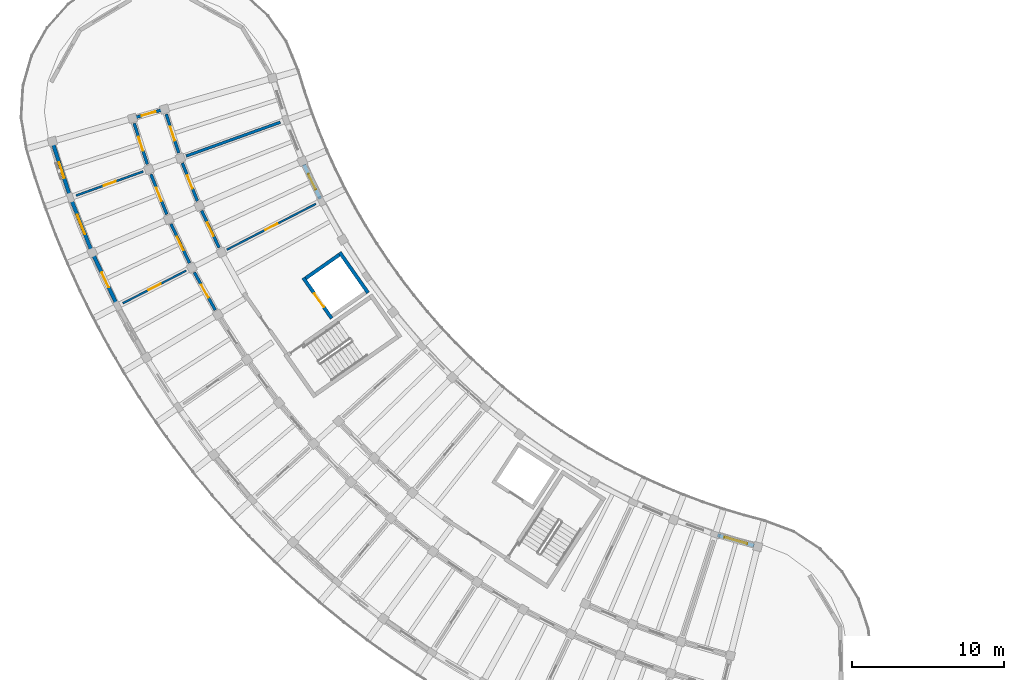
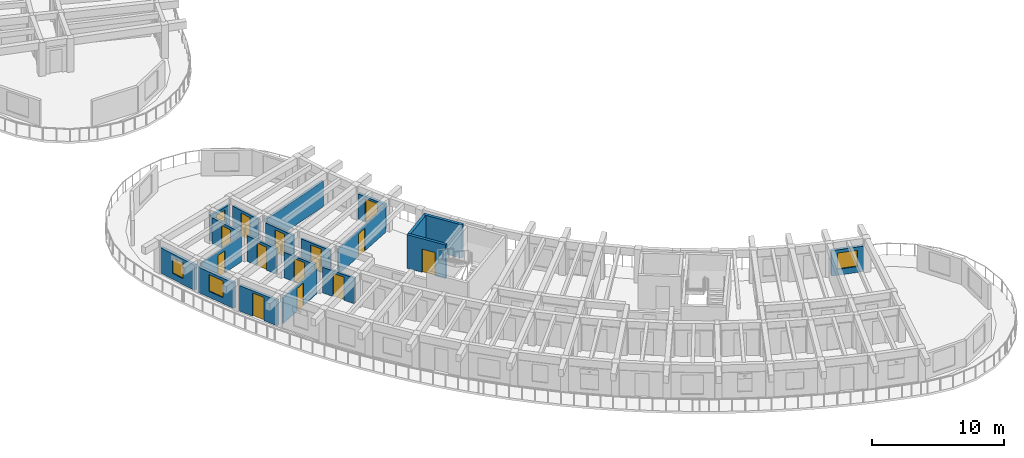
# One storey, part 30 of 69: 20 walls, 14 doors, 3 windows, 17 openings.
"""IFC4 building model written with IfcOpenShell, lengths in metres."""

from ifc_helpers import new_model, si_unit, direction, frame, frame_2d, origin, place, context, subcontext, project, spatial, rectangle, extrude, material, layer, layer_set, type_object, element, fill, save


model = new_model("IFC4")

# Units and contexts
model_context = context("Model", 3, precision=1e-05, world=origin(), true_north=direction((0.0, 1.0)))
body_context = subcontext(model_context, "Body", "Model", "MODEL_VIEW")
ifc_project = project(units=[si_unit("LENGTHUNIT", "METRE"), si_unit("AREAUNIT", "SQUARE_METRE"), si_unit("VOLUMEUNIT", "CUBIC_METRE"), si_unit("PLANEANGLEUNIT", "RADIAN"), si_unit("MASSUNIT", "GRAM", prefix="KILO")], contexts=[model_context])

# Site, building, storey
site_placement = place(None, origin())
site = spatial("IfcSite", under=ifc_project, at=site_placement, CompositionType="ELEMENT")
building_placement = place(site_placement, origin())
building = spatial("IfcBuilding", under=site, at=building_placement, Name="Tanwirah Colonnade Gardens", CompositionType="ELEMENT")
storey_placement = place(building_placement, frame((0.0, 0.0, 15.56005859375)))
storey = spatial("IfcBuildingStorey", under=building, at=storey_placement, Name="L04", CompositionType="ELEMENT", Elevation=15.56005859375)

# Wall, opening, window
ifc_material_1 = material(Name="Limestone architectural precast concrete C40/50", Category="masonry")
ifc_layer_1 = layer(ifc_material_1, 0.2451171875)
ifc_layer_set_1 = layer_set([ifc_layer_1], Name="Limestone architectural precast concrete C40/50")
wall_type_1 = type_object("IfcWallType", Name="EW-PC245", PredefinedType="SOLIDWALL", material=ifc_layer_set_1)
wall_1_placement = place(storey_placement, frame((7.83349609375, 47.847900390625, 0.0), z_axis=(0.0, 0.0, 1.0), x_axis=(0.306949591136, -0.951725773793, 0.0)))
wall_1 = element("IfcWall", 1, at=wall_1_placement, inside=storey, type_object=wall_type_1, Name="Block C L04 OUT Precast Facade Wall 0", PredefinedType="SOLIDWALL", context=body_context, shape_type="SweptSolid", body=[
    extrude(rectangle(XDim=3.48681640625, YDim=0.2451171875, at=frame_2d((1.743408203125, 0.0))), origin(), (0.0, 0.0, 1.0), 2.35498046875),
])
opening_1_placement = place(wall_1_placement, frame((1.203369140625, 0.0, 0.550048828125)))
opening_1 = element("IfcOpeningElement", 2, at=opening_1_placement, cuts=wall_1, Name="Opening WIN-T15", PredefinedType="OPENING", context=body_context, shape_type="SweptSolid", body=[
    extrude(rectangle(XDim=1.080078125, YDim=1.449951171875, at=frame_2d((0.5400390625, 0.72509765625))), frame((0.0, 0.132568359375, 0.0), z_axis=(0.0, -1.0, 0.0), x_axis=(1.0, 0.0, 0.0)), (0.0, 0.0, 1.0), 0.26513671875),
])
ifc_material_2 = material(Name="Thermally broken bronze aluminium and solar low-E double glazing", Category="aluminium")
window_type_1 = type_object("IfcWindowType", Name="WIN-T15", PartitioningType="SINGLE_PANEL", PredefinedType="WINDOW", material=ifc_material_2)
window_1_placement = place(opening_1_placement, origin())
window_1 = element("IfcWindow", 3, at=window_1_placement, inside=storey, type_object=window_type_1, Name="Facade window C-L04-OUT-00", OverallHeight=1.449951171875, OverallWidth=1.080078125, PartitioningType="SINGLE_PANEL", PredefinedType="WINDOW", context=body_context, shape_type="SweptSolid", body=[
    extrude(rectangle(XDim=1.080078125, YDim=1.449951171875, at=frame_2d((0.5400390625, 0.72509765625))), frame((0.0, 0.030029296875, 0.0), z_axis=(0.0, -1.0, 0.0), x_axis=(1.0, 0.0, 0.0)), (0.0, 0.0, 1.0), 0.06005859375),
])
fill(opening_1, window_1)

wall_2_placement = place(storey_placement, frame((9.011962890625, 44.228271484375, 0.0), z_axis=(0.0, 0.0, 1.0), x_axis=(0.368503667074, -0.929626294461, 0.0)))
wall_2 = element("IfcWall", 4, at=wall_2_placement, inside=storey, type_object=wall_type_1, Name="Block C L04 OUT Precast Facade Wall 1", PredefinedType="SOLIDWALL", context=body_context, shape_type="SweptSolid", body=[
    extrude(rectangle(XDim=3.48681640625, YDim=0.2451171875, at=frame_2d((1.743408203125, 0.0))), origin(), (0.0, 0.0, 1.0), 2.35498046875),
])
opening_2_placement = place(wall_2_placement, frame((1.053466796875, 0.0, 0.550048828125)))
opening_2 = element("IfcOpeningElement", 5, at=opening_2_placement, cuts=wall_2, Name="Opening WIN-T18", PredefinedType="OPENING", context=body_context, shape_type="SweptSolid", body=[
    extrude(rectangle(XDim=1.3798828125, YDim=1.56005859375, at=frame_2d((0.68994140625, 0.780029296875))), frame((0.0, 0.132568359375, 0.0), z_axis=(0.0, -1.0, 0.0), x_axis=(1.0, 0.0, 0.0)), (0.0, 0.0, 1.0), 0.26513671875),
])
window_type_2 = type_object("IfcWindowType", Name="WIN-T18", PartitioningType="DOUBLE_PANEL_VERTICAL", PredefinedType="WINDOW", material=ifc_material_2)
window_2_placement = place(opening_2_placement, origin())
window_2 = element("IfcWindow", 6, at=window_2_placement, inside=storey, type_object=window_type_2, Name="Facade window C-L04-OUT-01", OverallHeight=1.56005859375, OverallWidth=1.3798828125, PartitioningType="SINGLE_PANEL", PredefinedType="WINDOW", context=body_context, shape_type="SweptSolid", body=[
    extrude(rectangle(XDim=1.3798828125, YDim=1.56005859375, at=frame_2d((0.68994140625, 0.780029296875))), frame((0.0, 0.030029296875, 0.0), z_axis=(0.0, -1.0, 0.0), x_axis=(1.0, 0.0, 0.0)), (0.0, 0.0, 1.0), 0.06005859375),
])
fill(opening_2, window_2)

# Wall, opening, door
wall_3_placement = place(storey_placement, frame((10.49609375, 40.528564453125, 0.0), z_axis=(0.0, 0.0, 1.0), x_axis=(0.428576879122, -0.903505317462, 0.0)))
wall_3 = element("IfcWall", 7, at=wall_3_placement, inside=storey, type_object=wall_type_1, Name="Block C L04 OUT Precast Facade Wall 2", PredefinedType="SOLIDWALL", context=body_context, shape_type="SweptSolid", body=[
    extrude(rectangle(XDim=3.48681640625, YDim=0.2451171875, at=frame_2d((1.743408203125, 0.0))), origin(), (0.0, 0.0, 1.0), 2.35498046875),
])
opening_3_placement = place(wall_3_placement, frame((1.203369140625, 0.0, 0.0)))
opening_3 = element("IfcOpeningElement", 8, at=opening_3_placement, cuts=wall_3, Name="Opening L04-ED143", PredefinedType="OPENING", context=body_context, shape_type="SweptSolid", body=[
    extrude(rectangle(XDim=1.080078125, YDim=2.14990234375, at=frame_2d((0.5400390625, 1.074951171875))), frame((0.0, 0.132568359375, 0.0), z_axis=(0.0, -1.0, 0.0), x_axis=(1.0, 0.0, 0.0)), (0.0, 0.0, 1.0), 0.26513671875),
])
ifc_material_3 = material(Name="Bronze aluminium glazed balcony door", Category="aluminium")
door_type_1 = type_object("IfcDoorType", Name="ED-BAL108", OperationType="NOTDEFINED", PredefinedType="DOOR", material=ifc_material_3)
door_1_placement = place(opening_3_placement, origin())
door_1 = element("IfcDoor", 9, at=door_1_placement, inside=storey, type_object=door_type_1, Name="Balcony glazed door L04-ED143", OperationType="SINGLE_SWING_LEFT", OverallHeight=2.14990234375, OverallWidth=1.080078125, PredefinedType="DOOR", context=body_context, shape_type="SweptSolid", body=[
    extrude(rectangle(XDim=1.080078125, YDim=2.14990234375, at=frame_2d((0.5400390625, 1.074951171875))), frame((0.0, 0.02490234375, 0.0), z_axis=(0.0, -1.0, 0.0), x_axis=(1.0, 0.0, 0.0)), (0.0, 0.0, 1.0), 0.050048828125),
])
fill(opening_3, door_1)

wall_4_placement = place(storey_placement, frame((24.34375, 46.5498046875, 0.0), z_axis=(0.0, 0.0, 1.0), x_axis=(0.428514676045, -0.903534820809, 0.0)))
wall_4 = element("IfcWall", 10, at=wall_4_placement, inside=storey, type_object=wall_type_1, Name="Block C L04 IN Precast Facade Wall 2", PredefinedType="SOLIDWALL", context=body_context, shape_type="SweptSolid", body=[
    extrude(rectangle(XDim=2.498779296875, YDim=0.2451171875, at=frame_2d((1.24951171875, 0.0))), origin(), (0.0, 0.0, 1.0), 2.35498046875),
])
opening_4_placement = place(wall_4_placement, frame((0.679443359375, 0.0, 0.0)))
opening_4 = element("IfcOpeningElement", 11, at=opening_4_placement, cuts=wall_4, Name="Opening L04-ED144", PredefinedType="OPENING", context=body_context, shape_type="SweptSolid", body=[
    extrude(rectangle(XDim=1.139892578125, YDim=2.159912109375, at=frame_2d((0.56982421875, 1.080078125))), frame((0.0, 0.132568359375, 0.0), z_axis=(0.0, -1.0, 0.0), x_axis=(1.0, 0.0, 0.0)), (0.0, 0.0, 1.0), 0.26513671875),
])
door_type_2 = type_object("IfcDoorType", Name="ED-BAL114", OperationType="NOTDEFINED", PredefinedType="DOOR", material=ifc_material_3)
door_2_placement = place(opening_4_placement, origin())
door_2 = element("IfcDoor", 12, at=door_2_placement, inside=storey, type_object=door_type_2, Name="Balcony glazed door L04-ED144", OperationType="SINGLE_SWING_LEFT", OverallHeight=2.159912109375, OverallWidth=1.139892578125, PredefinedType="DOOR", context=body_context, shape_type="SweptSolid", body=[
    extrude(rectangle(XDim=1.139892578125, YDim=2.159912109375, at=frame_2d((0.56982421875, 1.080078125))), frame((0.0, 0.02490234375, 0.0), z_axis=(0.0, -1.0, 0.0), x_axis=(1.0, 0.0, 0.0)), (0.0, 0.0, 1.0), 0.050048828125),
])
fill(opening_4, door_2)

# Wall, opening, window
wall_5_placement = place(storey_placement, frame((51.602783203125, 22.122314453125, 0.0), z_axis=(0.0, 0.0, 1.0), x_axis=(0.961847744742, -0.273585299195, 0.0)))
wall_5 = element("IfcWall", 13, at=wall_5_placement, inside=storey, type_object=wall_type_1, Name="Block C L04 IN Precast Facade Wall 15", PredefinedType="SOLIDWALL", context=body_context, shape_type="SweptSolid", body=[
    extrude(rectangle(XDim=2.49853515625, YDim=0.2451171875, at=frame_2d((1.249267578125, 0.0))), origin(), (0.0, 0.0, 1.0), 2.35498046875),
])
opening_5_placement = place(wall_5_placement, frame((0.469482421875, 0.0, 0.550048828125)))
opening_5 = element("IfcOpeningElement", 14, at=opening_5_placement, cuts=wall_5, Name="Opening WIN-U11", PredefinedType="OPENING", context=body_context, shape_type="SweptSolid", body=[
    extrude(rectangle(XDim=1.56005859375, YDim=1.510009765625, at=frame_2d((0.780029296875, 0.7548828125))), frame((0.0, 0.132568359375, 0.0), z_axis=(0.0, -1.0, 0.0), x_axis=(1.0, 0.0, 0.0)), (0.0, 0.0, 1.0), 0.26513671875),
])
window_type_3 = type_object("IfcWindowType", Name="WIN-U11", PartitioningType="DOUBLE_PANEL_VERTICAL", PredefinedType="WINDOW", material=ifc_material_2)
window_3_placement = place(opening_5_placement, origin())
window_3 = element("IfcWindow", 15, at=window_3_placement, inside=storey, type_object=window_type_3, Name="Facade window C-L04-IN-15", OverallHeight=1.510009765625, OverallWidth=1.56005859375, PartitioningType="SINGLE_PANEL", PredefinedType="WINDOW", context=body_context, shape_type="SweptSolid", body=[
    extrude(rectangle(XDim=1.56005859375, YDim=1.510009765625, at=frame_2d((0.780029296875, 0.7548828125))), frame((0.0, 0.030029296875, 0.0), z_axis=(0.0, -1.0, 0.0), x_axis=(1.0, 0.0, 0.0)), (0.0, 0.0, 1.0), 0.06005859375),
])
fill(opening_5, window_3)

# Wall, opening, door
ifc_material_4 = material(Name="Precast concrete C40/50", Category="concrete")
ifc_layer_2 = layer(ifc_material_4, 0.195068359375)
ifc_layer_set_2 = layer_set([ifc_layer_2], Name="Precast concrete C40/50")
wall_type_2 = type_object("IfcWallType", Name="IW-CORR195", PredefinedType="PARTITIONING", material=ifc_layer_set_2)
wall_6_placement = place(storey_placement, frame((13.151123046875, 49.268798828125, 0.0), z_axis=(0.0, 0.0, 1.0), x_axis=(0.30694495224, -0.951727269912, 0.0)))
wall_6 = element("IfcWall", 16, at=wall_6_placement, inside=storey, type_object=wall_type_2, Name="Block C L04 OUT Corridor Wall 0", PredefinedType="PARTITIONING", context=body_context, shape_type="SweptSolid", body=[
    extrude(rectangle(XDim=2.837158203125, YDim=0.195068359375, at=frame_2d((1.41845703125, 0.0))), origin(), (0.0, 0.0, 1.0), 2.369873046875),
])
opening_6_placement = place(wall_6_placement, frame((0.943603515625, 0.0, 0.0)))
opening_6 = element("IfcOpeningElement", 17, at=opening_6_placement, cuts=wall_6, Name="Opening L04-AD1429", PredefinedType="OPENING", context=body_context, shape_type="SweptSolid", body=[
    extrude(rectangle(XDim=0.949951171875, YDim=2.1298828125, at=frame_2d((0.47509765625, 1.06494140625))), frame((0.0, 0.107421875, 0.0), z_axis=(0.0, -1.0, 0.0), x_axis=(1.0, 0.0, 0.0)), (0.0, 0.0, 1.0), 0.215087890625),
])
ifc_material_5 = material(Name="Solid oak fire-resisting apartment entrance door")
door_type_3 = type_object("IfcDoorType", Name="ID-FLT095", OperationType="NOTDEFINED", PredefinedType="DOOR", material=ifc_material_5)
door_3_placement = place(opening_6_placement, origin())
door_3 = element("IfcDoor", 18, at=door_3_placement, inside=storey, type_object=door_type_3, Name="Apartment corridor door L04-AD1429", OperationType="SINGLE_SWING_LEFT", OverallHeight=2.1298828125, OverallWidth=0.949951171875, PredefinedType="DOOR", context=body_context, shape_type="SweptSolid", body=[
    extrude(rectangle(XDim=0.949951171875, YDim=2.1298828125, at=frame_2d((0.47509765625, 1.06494140625))), frame((0.0, 0.02490234375, 0.0), z_axis=(0.0, -1.0, 0.0), x_axis=(1.0, 0.0, 0.0)), (0.0, 0.0, 1.0), 0.050048828125),
])
fill(opening_6, door_3)

wall_7_placement = place(storey_placement, frame((15.26611328125, 49.875, 0.0), z_axis=(0.0, 0.0, 1.0), x_axis=(0.306883578189, -0.951747061691, 0.0)))
wall_7 = element("IfcWall", 19, at=wall_7_placement, inside=storey, type_object=wall_type_2, Name="Block C L04 IN Corridor Wall 0", PredefinedType="PARTITIONING", context=body_context, shape_type="SweptSolid", body=[
    extrude(rectangle(XDim=2.69287109375, YDim=0.195068359375, at=frame_2d((1.346435546875, 0.0))), origin(), (0.0, 0.0, 1.0), 2.369873046875),
])
opening_7_placement = place(wall_7_placement, frame((0.87158203125, 0.0, 0.0)))
opening_7 = element("IfcOpeningElement", 20, at=opening_7_placement, cuts=wall_7, Name="Opening L04-AD1430", PredefinedType="OPENING", context=body_context, shape_type="SweptSolid", body=[
    extrude(rectangle(XDim=0.949951171875, YDim=2.1298828125, at=frame_2d((0.47509765625, 1.06494140625))), frame((0.0, 0.107421875, 0.0), z_axis=(0.0, -1.0, 0.0), x_axis=(1.0, 0.0, 0.0)), (0.0, 0.0, 1.0), 0.215087890625),
])
door_4_placement = place(opening_7_placement, origin())
door_4 = element("IfcDoor", 21, at=door_4_placement, inside=storey, type_object=door_type_3, Name="Apartment corridor door L04-AD1430", OperationType="SINGLE_SWING_RIGHT", OverallHeight=2.1298828125, OverallWidth=0.949951171875, PredefinedType="DOOR", context=body_context, shape_type="SweptSolid", body=[
    extrude(rectangle(XDim=0.949951171875, YDim=2.1298828125, at=frame_2d((0.47509765625, 1.06494140625))), frame((0.0, 0.02490234375, 0.0), z_axis=(0.0, -1.0, 0.0), x_axis=(1.0, 0.0, 0.0)), (0.0, 0.0, 1.0), 0.050048828125),
])
fill(opening_7, door_4)

wall_8_placement = place(storey_placement, frame((14.25830078125, 45.91015625, 0.0), z_axis=(0.0, 0.0, 1.0), x_axis=(0.368584691693, -0.929594172233, 0.0)))
wall_8 = element("IfcWall", 22, at=wall_8_placement, inside=storey, type_object=wall_type_2, Name="Block C L04 OUT Corridor Wall 1", PredefinedType="PARTITIONING", context=body_context, shape_type="SweptSolid", body=[
    extrude(rectangle(XDim=2.8369140625, YDim=0.195068359375, at=frame_2d((1.41845703125, 0.0))), origin(), (0.0, 0.0, 1.0), 2.369873046875),
])
opening_8_placement = place(wall_8_placement, frame((0.95361328125, 0.0, 0.0)))
opening_8 = element("IfcOpeningElement", 23, at=opening_8_placement, cuts=wall_8, Name="Opening L04-AD1432", PredefinedType="OPENING", context=body_context, shape_type="SweptSolid", body=[
    extrude(rectangle(XDim=0.929931640625, YDim=2.1201171875, at=frame_2d((0.46484375, 1.06005859375))), frame((0.0, 0.107421875, 0.0), z_axis=(0.0, -1.0, 0.0), x_axis=(1.0, 0.0, 0.0)), (0.0, 0.0, 1.0), 0.215087890625),
])
door_type_4 = type_object("IfcDoorType", Name="ID-FLT093", OperationType="NOTDEFINED", PredefinedType="DOOR", material=ifc_material_5)
door_5_placement = place(opening_8_placement, origin())
door_5 = element("IfcDoor", 24, at=door_5_placement, inside=storey, type_object=door_type_4, Name="Apartment corridor door L04-AD1432", OperationType="SINGLE_SWING_RIGHT", OverallHeight=2.1201171875, OverallWidth=0.929931640625, PredefinedType="DOOR", context=body_context, shape_type="SweptSolid", body=[
    extrude(rectangle(XDim=0.929931640625, YDim=2.1201171875, at=frame_2d((0.46484375, 1.06005859375))), frame((0.0, 0.02490234375, 0.0), z_axis=(0.0, -1.0, 0.0), x_axis=(1.0, 0.0, 0.0)), (0.0, 0.0, 1.0), 0.050048828125),
])
fill(opening_8, door_5)

wall_9_placement = place(storey_placement, frame((16.3291015625, 46.653564453125, 0.0), z_axis=(0.0, 0.0, 1.0), x_axis=(0.368528468945, -0.929616462622, 0.0)))
wall_9 = element("IfcWall", 25, at=wall_9_placement, inside=storey, type_object=wall_type_2, Name="Block C L04 IN Corridor Wall 1", PredefinedType="PARTITIONING", context=body_context, shape_type="SweptSolid", body=[
    extrude(rectangle(XDim=2.69287109375, YDim=0.195068359375, at=frame_2d((1.346435546875, 0.0))), origin(), (0.0, 0.0, 1.0), 2.369873046875),
])
opening_9_placement = place(wall_9_placement, frame((0.881591796875, 0.0, 0.0)))
opening_9 = element("IfcOpeningElement", 26, at=opening_9_placement, cuts=wall_9, Name="Opening L04-AD1433", PredefinedType="OPENING", context=body_context, shape_type="SweptSolid", body=[
    extrude(rectangle(XDim=0.929931640625, YDim=2.1201171875, at=frame_2d((0.46484375, 1.06005859375))), frame((0.0, 0.107421875, 0.0), z_axis=(0.0, -1.0, 0.0), x_axis=(1.0, 0.0, 0.0)), (0.0, 0.0, 1.0), 0.215087890625),
])
door_6_placement = place(opening_9_placement, origin())
door_6 = element("IfcDoor", 27, at=door_6_placement, inside=storey, type_object=door_type_4, Name="Apartment corridor door L04-AD1433", OperationType="SINGLE_SWING_LEFT", OverallHeight=2.1201171875, OverallWidth=0.929931640625, PredefinedType="DOOR", context=body_context, shape_type="SweptSolid", body=[
    extrude(rectangle(XDim=0.929931640625, YDim=2.1201171875, at=frame_2d((0.46484375, 1.06005859375))), frame((0.0, 0.02490234375, 0.0), z_axis=(0.0, -1.0, 0.0), x_axis=(1.0, 0.0, 0.0)), (0.0, 0.0, 1.0), 0.050048828125),
])
fill(opening_9, door_6)

wall_10_placement = place(storey_placement, frame((15.5830078125, 42.63134765625, 0.0), z_axis=(0.0, 0.0, 1.0), x_axis=(0.428493237107, -0.903544988229, 0.0)))
wall_10 = element("IfcWall", 28, at=wall_10_placement, inside=storey, type_object=wall_type_2, Name="Block C L04 OUT Corridor Wall 2", PredefinedType="PARTITIONING", context=body_context, shape_type="SweptSolid", body=[
    extrude(rectangle(XDim=2.8369140625, YDim=0.195068359375, at=frame_2d((1.41845703125, 0.0))), origin(), (0.0, 0.0, 1.0), 2.369873046875),
])
opening_10_placement = place(wall_10_placement, frame((0.923583984375, 0.0, 0.0)))
opening_10 = element("IfcOpeningElement", 29, at=opening_10_placement, cuts=wall_10, Name="Opening L04-AD1434", PredefinedType="OPENING", context=body_context, shape_type="SweptSolid", body=[
    extrude(rectangle(XDim=0.989990234375, YDim=2.159912109375, at=frame_2d((0.4951171875, 1.080078125))), frame((0.0, 0.107421875, 0.0), z_axis=(0.0, -1.0, 0.0), x_axis=(1.0, 0.0, 0.0)), (0.0, 0.0, 1.0), 0.215087890625),
])
door_type_5 = type_object("IfcDoorType", Name="ID-FLT099", OperationType="NOTDEFINED", PredefinedType="DOOR", material=ifc_material_5)
door_7_placement = place(opening_10_placement, origin())
door_7 = element("IfcDoor", 30, at=door_7_placement, inside=storey, type_object=door_type_5, Name="Apartment corridor door L04-AD1434", OperationType="SINGLE_SWING_LEFT", OverallHeight=2.159912109375, OverallWidth=0.989990234375, PredefinedType="DOOR", context=body_context, shape_type="SweptSolid", body=[
    extrude(rectangle(XDim=0.989990234375, YDim=2.159912109375, at=frame_2d((0.4951171875, 1.080078125))), frame((0.0, 0.02490234375, 0.0), z_axis=(0.0, -1.0, 0.0), x_axis=(1.0, 0.0, 0.0)), (0.0, 0.0, 1.0), 0.050048828125),
])
fill(opening_10, door_7)

wall_11_placement = place(storey_placement, frame((17.600341796875, 43.508544921875, 0.0), z_axis=(0.0, 0.0, 1.0), x_axis=(0.428550049392, -0.903518043631, 0.0)))
wall_11 = element("IfcWall", 31, at=wall_11_placement, inside=storey, type_object=wall_type_2, Name="Block C L04 IN Corridor Wall 2", PredefinedType="PARTITIONING", context=body_context, shape_type="SweptSolid", body=[
    extrude(rectangle(XDim=2.69287109375, YDim=0.195068359375, at=frame_2d((1.346435546875, 0.0))), origin(), (0.0, 0.0, 1.0), 2.369873046875),
])
opening_11_placement = place(wall_11_placement, frame((0.8515625, 0.0, 0.0)))
opening_11 = element("IfcOpeningElement", 32, at=opening_11_placement, cuts=wall_11, Name="Opening L04-AD1435", PredefinedType="OPENING", context=body_context, shape_type="SweptSolid", body=[
    extrude(rectangle(XDim=0.989990234375, YDim=2.159912109375, at=frame_2d((0.4951171875, 1.080078125))), frame((0.0, 0.107421875, 0.0), z_axis=(0.0, -1.0, 0.0), x_axis=(1.0, 0.0, 0.0)), (0.0, 0.0, 1.0), 0.215087890625),
])
door_8_placement = place(opening_11_placement, origin())
door_8 = element("IfcDoor", 33, at=door_8_placement, inside=storey, type_object=door_type_5, Name="Apartment corridor door L04-AD1435", OperationType="SINGLE_SWING_RIGHT", OverallHeight=2.159912109375, OverallWidth=0.989990234375, PredefinedType="DOOR", context=body_context, shape_type="SweptSolid", body=[
    extrude(rectangle(XDim=0.989990234375, YDim=2.159912109375, at=frame_2d((0.4951171875, 1.080078125))), frame((0.0, 0.02490234375, 0.0), z_axis=(0.0, -1.0, 0.0), x_axis=(1.0, 0.0, 0.0)), (0.0, 0.0, 1.0), 0.050048828125),
])
fill(opening_11, door_8)

wall_12_placement = place(storey_placement, frame((17.118896484375, 39.4462890625, 0.0), z_axis=(0.0, 0.0, 1.0), x_axis=(0.48673124079, -0.8735517725, 0.0)))
wall_12 = element("IfcWall", 34, at=wall_12_placement, inside=storey, type_object=wall_type_2, Name="Block C L04 OUT Corridor Wall 3", PredefinedType="PARTITIONING", context=body_context, shape_type="SweptSolid", body=[
    extrude(rectangle(XDim=2.8369140625, YDim=0.195068359375, at=frame_2d((1.41845703125, 0.0))), origin(), (0.0, 0.0, 1.0), 2.369873046875),
])
opening_12_placement = place(wall_12_placement, frame((0.93359375, 0.0, 0.0)))
opening_12 = element("IfcOpeningElement", 35, at=opening_12_placement, cuts=wall_12, Name="Opening L04-AD1438", PredefinedType="OPENING", context=body_context, shape_type="SweptSolid", body=[
    extrude(rectangle(XDim=0.969970703125, YDim=2.14990234375, at=frame_2d((0.48486328125, 1.074951171875))), frame((0.0, 0.107421875, 0.0), z_axis=(0.0, -1.0, 0.0), x_axis=(1.0, 0.0, 0.0)), (0.0, 0.0, 1.0), 0.215087890625),
])
door_type_6 = type_object("IfcDoorType", Name="ID-FLT097", OperationType="NOTDEFINED", PredefinedType="DOOR", material=ifc_material_5)
door_9_placement = place(opening_12_placement, origin())
door_9 = element("IfcDoor", 36, at=door_9_placement, inside=storey, type_object=door_type_6, Name="Apartment corridor door L04-AD1438", OperationType="SINGLE_SWING_RIGHT", OverallHeight=2.14990234375, OverallWidth=0.969970703125, PredefinedType="DOOR", context=body_context, shape_type="SweptSolid", body=[
    extrude(rectangle(XDim=0.969970703125, YDim=2.14990234375, at=frame_2d((0.48486328125, 1.074951171875))), frame((0.0, 0.02490234375, 0.0), z_axis=(0.0, -1.0, 0.0), x_axis=(1.0, 0.0, 0.0)), (0.0, 0.0, 1.0), 0.050048828125),
])
fill(opening_12, door_9)

wall_13_placement = place(storey_placement, frame((15.110595703125, 50.1943359375, 0.0), z_axis=(0.0, 0.0, 1.0), x_axis=(-0.961264701934, -0.275626872449, 0.0)))
wall_13 = element("IfcWall", 37, at=wall_13_placement, inside=storey, type_object=wall_type_2, Name="Block C L04 CS Corner Suite Corridor Wall", PredefinedType="PARTITIONING", context=body_context, shape_type="SweptSolid", body=[
    extrude(rectangle(XDim=2.10009765625, YDim=0.195068359375, at=frame_2d((1.050048828125, 0.0))), origin(), (0.0, 0.0, 1.0), 2.369873046875),
])
opening_13_placement = place(wall_13_placement, frame((0.570068359375, 0.0, 0.0)))
opening_13 = element("IfcOpeningElement", 38, at=opening_13_placement, cuts=wall_13, Name="Opening L04-CD1465", PredefinedType="OPENING", context=body_context, shape_type="SweptSolid", body=[
    extrude(rectangle(XDim=0.949951171875, YDim=2.1298828125, at=frame_2d((0.47509765625, 1.06494140625))), frame((0.0, 0.107421875, 0.0), z_axis=(0.0, -1.0, 0.0), x_axis=(1.0, 0.0, 0.0)), (0.0, 0.0, 1.0), 0.215087890625),
])
door_10_placement = place(opening_13_placement, origin())
door_10 = element("IfcDoor", 39, at=door_10_placement, inside=storey, type_object=door_type_3, Name="Corner suite entrance door L04-CD1465", OperationType="SINGLE_SWING_LEFT", OverallHeight=2.1298828125, OverallWidth=0.949951171875, PredefinedType="DOOR", context=body_context, shape_type="SweptSolid", body=[
    extrude(rectangle(XDim=0.949951171875, YDim=2.1298828125, at=frame_2d((0.47509765625, 1.06494140625))), frame((0.0, 0.02490234375, 0.0), z_axis=(0.0, -1.0, 0.0), x_axis=(1.0, 0.0, 0.0)), (0.0, 0.0, 1.0), 0.050048828125),
])
fill(opening_13, door_10)

# Wall
ifc_layer_3 = layer(ifc_material_4, 0.18505859375)
ifc_layer_set_3 = layer_set([ifc_layer_3], Name="Precast concrete C40/50")
wall_type_3 = type_object("IfcWallType", Name="IW-DEM185", PredefinedType="PARTITIONING", material=ifc_layer_set_3)
wall_14_placement = place(storey_placement, frame((22.788330078125, 49.344482421875, 0.0), z_axis=(0.0, 0.0, 1.0), x_axis=(-0.941179890997, -0.337905922978, 0.0)))
element("IfcWall", 40, at=wall_14_placement, inside=storey, type_object=wall_type_3, Name="Block C L04 Inner Radial Partition 0", PredefinedType="PARTITIONING", context=body_context, shape_type="SweptSolid", body=[
    extrude(rectangle(XDim=6.60009765625, YDim=0.18505859375, at=frame_2d((3.300048828125, 0.0))), origin(), (0.0, 0.0, 1.0), 2.369873046875),
])

# Wall, opening, door
ifc_material_6 = material(Name="Moisture-resistant gypsum stud partition")
ifc_layer_4 = layer(ifc_material_6, 0.125)
ifc_layer_set_4 = layer_set([ifc_layer_4], Name="Moisture-resistant gypsum stud partition")
wall_type_4 = type_object("IfcWallType", Name="IW-INT125", PredefinedType="PARTITIONING", material=ifc_layer_set_4)
wall_15_placement = place(storey_placement, frame((16.593017578125, 39.56884765625, 0.0), z_axis=(0.0, 0.0, 1.0), x_axis=(-0.889013002038, -0.457881952262, 0.0)))
wall_15 = element("IfcWall", 41, at=wall_15_placement, inside=storey, type_object=wall_type_4, Name="Block C L04 Radial Partition 2", PredefinedType="PARTITIONING", context=body_context, shape_type="SweptSolid", body=[
    extrude(rectangle(XDim=4.7001953125, YDim=0.125, at=frame_2d((2.35009765625, 0.0))), origin(), (0.0, 0.0, 1.0), 2.369873046875),
])
opening_14_placement = place(wall_15_placement, frame((1.89501953125, 0.0, 0.0)))
opening_14 = element("IfcOpeningElement", 42, at=opening_14_placement, cuts=wall_15, Name="Opening L04-RD1436", PredefinedType="OPENING", context=body_context, shape_type="SweptSolid", body=[
    extrude(rectangle(XDim=0.909912109375, YDim=2.10009765625, at=frame_2d((0.455078125, 1.050048828125))), frame((0.0, 0.072509765625, 0.0), z_axis=(0.0, -1.0, 0.0), x_axis=(1.0, 0.0, 0.0)), (0.0, 0.0, 1.0), 0.14501953125),
])
ifc_material_7 = material(Name="Painted hardwood internal room door", Category="wood")
door_type_7 = type_object("IfcDoorType", Name="ID-RM091", OperationType="NOTDEFINED", PredefinedType="DOOR", material=ifc_material_7)
door_11_placement = place(opening_14_placement, origin())
door_11 = element("IfcDoor", 43, at=door_11_placement, inside=storey, type_object=door_type_7, Name="Internal apartment door L04-RD1436", OperationType="SINGLE_SWING_LEFT", OverallHeight=2.10009765625, OverallWidth=0.909912109375, PredefinedType="DOOR", context=body_context, shape_type="SweptSolid", body=[
    extrude(rectangle(XDim=0.909912109375, YDim=2.10009765625, at=frame_2d((0.455078125, 1.050048828125))), frame((0.0, 0.02490234375, 0.0), z_axis=(0.0, -1.0, 0.0), x_axis=(1.0, 0.0, 0.0)), (0.0, 0.0, 1.0), 0.050048828125),
])
fill(opening_14, door_11)

wall_16_placement = place(storey_placement, frame((25.127685546875, 43.96435546875, 0.0), z_axis=(0.0, 0.0, 1.0), x_axis=(-0.889022010753, -0.457864460727, 0.0)))
wall_16 = element("IfcWall", 44, at=wall_16_placement, inside=storey, type_object=wall_type_4, Name="Block C L04 Inner Radial Partition 2", PredefinedType="PARTITIONING", context=body_context, shape_type="SweptSolid", body=[
    extrude(rectangle(XDim=6.60009765625, YDim=0.125, at=frame_2d((3.300048828125, 0.0))), origin(), (0.0, 0.0, 1.0), 2.369873046875),
])
opening_15_placement = place(wall_16_placement, frame((2.85498046875, 0.0, 0.0)))
opening_15 = element("IfcOpeningElement", 45, at=opening_15_placement, cuts=wall_16, Name="Opening L04-RD1437", PredefinedType="OPENING", context=body_context, shape_type="SweptSolid", body=[
    extrude(rectangle(XDim=0.889892578125, YDim=2.10009765625, at=frame_2d((0.44482421875, 1.050048828125))), frame((0.0, 0.072509765625, 0.0), z_axis=(0.0, -1.0, 0.0), x_axis=(1.0, 0.0, 0.0)), (0.0, 0.0, 1.0), 0.14501953125),
])
ifc_material_8 = material(Name="Painted hardwood bedroom door", Category="wood")
door_type_8 = type_object("IfcDoorType", Name="ID-RM089", OperationType="NOTDEFINED", PredefinedType="DOOR", material=ifc_material_8)
door_12_placement = place(opening_15_placement, origin())
door_12 = element("IfcDoor", 46, at=door_12_placement, inside=storey, type_object=door_type_8, Name="Internal apartment door L04-RD1437", OperationType="SINGLE_SWING_RIGHT", OverallHeight=2.10009765625, OverallWidth=0.889892578125, PredefinedType="DOOR", context=body_context, shape_type="SweptSolid", body=[
    extrude(rectangle(XDim=0.889892578125, YDim=2.10009765625, at=frame_2d((0.44482421875, 1.050048828125))), frame((0.0, 0.02490234375, 0.0), z_axis=(0.0, -1.0, 0.0), x_axis=(1.0, 0.0, 0.0)), (0.0, 0.0, 1.0), 0.050048828125),
])
fill(opening_15, door_12)

ifc_material_9 = material(Name="Water-resistant acoustic plumbing partition")
ifc_layer_5 = layer(ifc_material_9, 0.139892578125)
ifc_layer_set_5 = layer_set([ifc_layer_5], Name="Water-resistant acoustic plumbing partition")
wall_type_5 = type_object("IfcWallType", Name="IW-WET140", PredefinedType="PLUMBINGWALL", material=ifc_layer_set_5)
wall_17_placement = place(storey_placement, frame((13.7529296875, 46.100341796875, 0.0), z_axis=(0.0, 0.0, 1.0), x_axis=(-0.941182387398, -0.337898969591, 0.0)))
wall_17 = element("IfcWall", 47, at=wall_17_placement, inside=storey, type_object=wall_type_5, Name="Block C L04 Radial Partition 0", PredefinedType="PLUMBINGWALL", context=body_context, shape_type="SweptSolid", body=[
    extrude(rectangle(XDim=4.699951171875, YDim=0.139892578125, at=frame_2d((2.35009765625, 0.0))), origin(), (0.0, 0.0, 1.0), 2.369873046875),
])
opening_16_placement = place(wall_17_placement, frame((1.925048828125, 0.0, 0.0)))
opening_16 = element("IfcOpeningElement", 48, at=opening_16_placement, cuts=wall_17, Name="Opening L04-RD1431", PredefinedType="OPENING", context=body_context, shape_type="SweptSolid", body=[
    extrude(rectangle(XDim=0.85009765625, YDim=2.050048828125, at=frame_2d((0.425048828125, 1.02490234375))), frame((0.0, 0.079833984375, 0.0), z_axis=(0.0, -1.0, 0.0), x_axis=(1.0, 0.0, 0.0)), (0.0, 0.0, 1.0), 0.159912109375),
])
ifc_material_10 = material(Name="Moisture-resistant en-suite door")
door_type_9 = type_object("IfcDoorType", Name="ID-WET085", OperationType="NOTDEFINED", PredefinedType="DOOR", material=ifc_material_10)
door_13_placement = place(opening_16_placement, origin())
door_13 = element("IfcDoor", 49, at=door_13_placement, inside=storey, type_object=door_type_9, Name="Internal apartment door L04-RD1431", OperationType="SINGLE_SWING_LEFT", OverallHeight=2.050048828125, OverallWidth=0.85009765625, PredefinedType="DOOR", context=body_context, shape_type="SweptSolid", body=[
    extrude(rectangle(XDim=0.85009765625, YDim=2.050048828125, at=frame_2d((0.425048828125, 1.02490234375))), frame((0.0, 0.02490234375, 0.0), z_axis=(0.0, -1.0, 0.0), x_axis=(1.0, 0.0, 0.0)), (0.0, 0.0, 1.0), 0.050048828125),
])
fill(opening_16, door_13)

ifc_material_11 = material(Name="Concrete C45/55", Category="concrete")
ifc_layer_6 = layer(ifc_material_11, 0.22998046875)
ifc_layer_set_6 = layer_set([ifc_layer_6], Name="Concrete C45/55")
wall_type_6 = type_object("IfcWallType", Name="SW-LIFT230", PredefinedType="SHEAR", material=ifc_layer_set_6)
wall_18_placement = place(storey_placement, frame((26.1689453125, 36.419189453125, 0.0), z_axis=(0.0, 0.0, 1.0), x_axis=(-0.573582966431, 0.819147471839, 0.0)))
wall_18 = element("IfcWall", 50, at=wall_18_placement, inside=storey, type_object=wall_type_6, Name="CORE-C1 L04 Lift Shaft Wall FRONT", PredefinedType="SHEAR", context=body_context, shape_type="SweptSolid", body=[
    extrude(rectangle(XDim=3.260009765625, YDim=0.22998046875, at=frame_2d((1.6298828125, 0.0))), origin(), (0.0, 0.0, 1.0), 3.10986328125),
])
opening_17_placement = place(wall_18_placement, frame((0.89990234375, 0.0, 0.0)))
opening_17 = element("IfcOpeningElement", 51, at=opening_17_placement, cuts=wall_18, Name="Opening L04-LD-FL-C1", PredefinedType="OPENING", context=body_context, shape_type="SweptSolid", body=[
    extrude(rectangle(XDim=1.10009765625, YDim=2.14990234375, at=frame_2d((0.550048828125, 1.074951171875))), frame((0.0, 0.125, 0.0), z_axis=(0.0, -1.0, 0.0), x_axis=(1.0, 0.0, 0.0)), (0.0, 0.0, 1.0), 0.25),
])
ifc_material_12 = material(Name="Stainless steel sliding fire lift landing door", Category="steel")
door_type_10 = type_object("IfcDoorType", Name="LD-FF11", OperationType="DOUBLE_DOOR_SLIDING", PredefinedType="DOOR", material=ifc_material_12)
door_14_placement = place(opening_17_placement, origin())
door_14 = element("IfcDoor", 52, at=door_14_placement, inside=storey, type_object=door_type_10, Name="Lift FL-C1 L04 Sliding Landing Door", OperationType="DOUBLE_DOOR_SLIDING", OverallHeight=2.14990234375, OverallWidth=1.10009765625, PredefinedType="DOOR", context=body_context, shape_type="SweptSolid", body=[
    extrude(rectangle(XDim=1.10009765625, YDim=2.14990234375, at=frame_2d((0.550048828125, 1.074951171875))), frame((0.0, 0.02490234375, 0.0), z_axis=(0.0, -1.0, 0.0), x_axis=(1.0, 0.0, 0.0)), (0.0, 0.0, 1.0), 0.050048828125),
])
fill(opening_17, door_14)

# Walls
wall_19_placement = place(storey_placement, frame((28.569091796875, 38.099609375, 0.0), z_axis=(0.0, 0.0, 1.0), x_axis=(-0.573582966431, 0.819147471839, 0.0)))
element("IfcWall", 53, at=wall_19_placement, inside=storey, type_object=wall_type_6, Name="CORE-C1 L04 Lift Shaft Wall BACK", PredefinedType="SHEAR", context=body_context, shape_type="SweptSolid", body=[
    extrude(rectangle(XDim=3.260009765625, YDim=0.22998046875, at=frame_2d((1.6298828125, 0.0))), origin(), (0.0, 0.0, 1.0), 3.10986328125),
])
wall_20_placement = place(storey_placement, frame((24.459228515625, 39.061279296875, 0.0), z_axis=(0.0, 0.0, 1.0), x_axis=(0.819189439894, 0.573523026186, 0.0)))
element("IfcWall", 54, at=wall_20_placement, inside=storey, type_object=wall_type_6, Name="CORE-C1 L04 Lift Shaft Wall SIDEB", PredefinedType="SHEAR", context=body_context, shape_type="SweptSolid", body=[
    extrude(rectangle(XDim=2.7001953125, YDim=0.22998046875, at=frame_2d((1.35009765625, 0.0))), origin(), (0.0, 0.0, 1.0), 3.10986328125),
])

save(model, "model.ifc")
